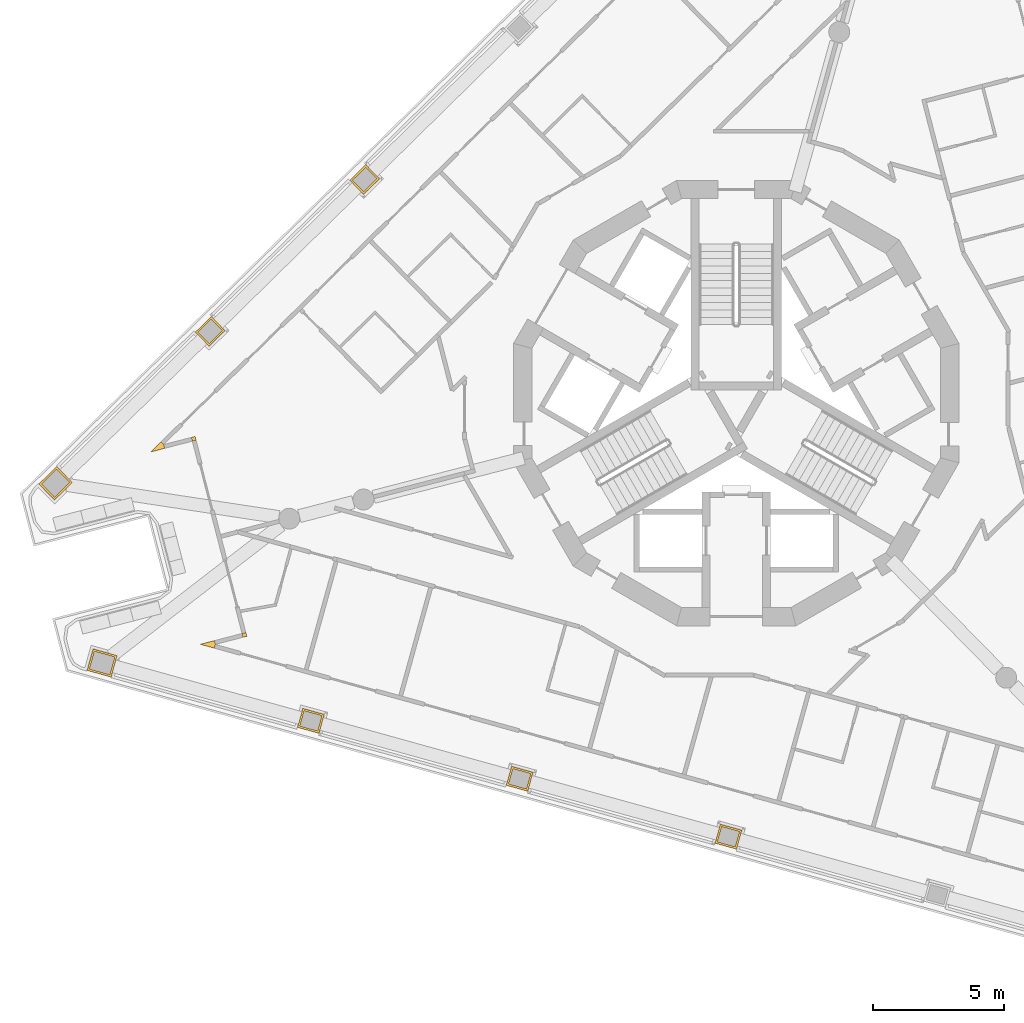
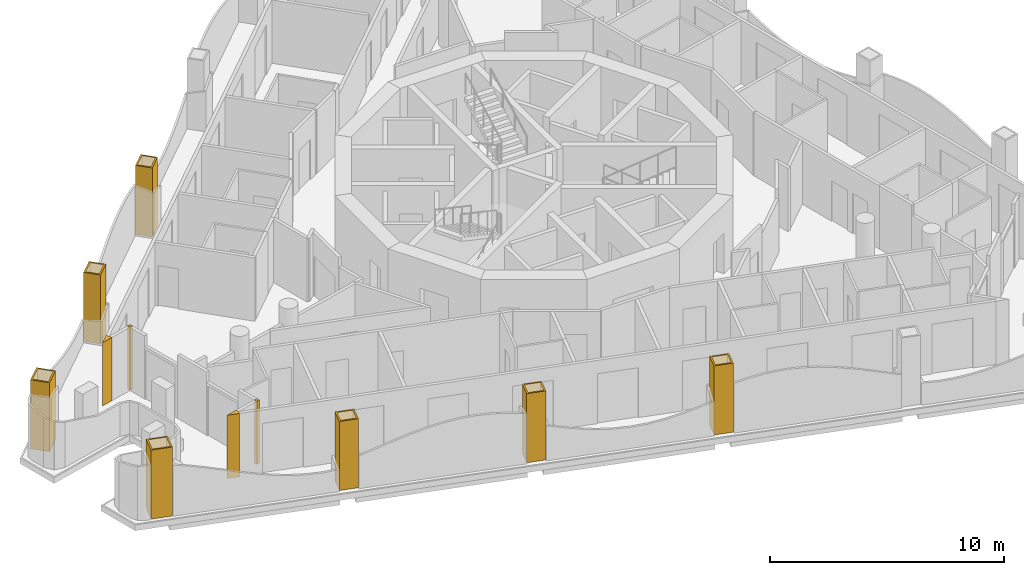
# One storey, part 9 of 14: 11 coverings.
"""IFC4 building model written with IfcOpenShell, lengths in metres."""

from ifc_helpers import new_model, si_unit, direction, frame, origin, place, context, subcontext, project, spatial, polyline, outline, extrude, material, layer, layer_set, type_object, element, save


model = new_model("IFC4")

# Units and contexts
model_context = context("Model", 3, precision=1e-05, world=origin(), true_north=direction((0.0, 1.0)))
body_context = subcontext(model_context, "Body", "Model", "MODEL_VIEW")
ifc_project = project(units=[si_unit("LENGTHUNIT", "METRE"), si_unit("AREAUNIT", "SQUARE_METRE"), si_unit("VOLUMEUNIT", "CUBIC_METRE"), si_unit("PLANEANGLEUNIT", "RADIAN"), si_unit("MASSUNIT", "GRAM", prefix="KILO")], contexts=[model_context])

# Site, building, storey
site_placement = place(None, origin())
site = spatial("IfcSite", under=ifc_project, at=site_placement, CompositionType="ELEMENT")
building_placement = place(site_placement, origin())
building = spatial("IfcBuilding", under=site, at=building_placement, Name="Trine Commons Tower", CompositionType="ELEMENT")
storey_placement = place(building_placement, frame((0.0, 0.0, 252.89990234375)))
storey = spatial("IfcBuildingStorey", under=building, at=storey_placement, Name="L66", CompositionType="ELEMENT", Elevation=252.89990234375)

# Coverings
ifc_material_1 = material(Name="Aluminium-framed insulated wall panel", Category="aluminium")
ifc_layer_1 = layer(ifc_material_1, 0.14990234375)
ifc_layer_set_1 = layer_set([ifc_layer_1], Name="Aluminium-framed insulated wall panel")
covering_type_1 = type_object("IfcCoveringType", Name="Glazing corner post, aluminium", PredefinedType="CLADDING", material=ifc_layer_set_1)
covering_1_placement = place(storey_placement, origin())
element("IfcCovering", 1, at=covering_1_placement, inside=storey, type_object=covering_type_1, Name="Glazing corner post 7-01", PredefinedType="CLADDING", context=body_context, shape_type="SweptSolid", body=[
    extrude(outline(polyline([(58.186279296875, 60.773193359375), (58.14892578125, 60.91845703125), (58.043701171875, 61.025390625), (57.644287109375, 60.63330078125), (58.186279296875, 60.773193359375)])), origin(), (0.0, 0.0, 1.0), 3.300048828125),
])
covering_2_placement = place(storey_placement, origin())
element("IfcCovering", 2, at=covering_2_placement, inside=storey, type_object=covering_type_1, Name="Glazing corner post 7-10", PredefinedType="CLADDING", context=body_context, shape_type="SweptSolid", body=[
    extrude(outline(polyline([(60.081787109375, 53.14501953125), (60.121826171875, 53.28955078125), (60.084228515625, 53.434814453125), (59.542236328125, 53.294677734375), (60.081787109375, 53.14501953125)])), origin(), (0.0, 0.0, 1.0), 3.300048828125),
])
covering_3_placement = place(storey_placement, origin())
element("IfcCovering", 3, at=covering_3_placement, inside=storey, type_object=covering_type_1, Name="Glazing corner post 7-11", PredefinedType="CLADDING", context=body_context, shape_type="SweptSolid", body=[
    extrude(outline(polyline([(61.135498046875, 53.70654296875), (61.135498046875, 53.70654296875), (61.173095703125, 53.561279296875), (61.318115234375, 53.598876953125), (61.28076171875, 53.744140625), (61.135498046875, 53.70654296875)])), origin(), (0.0, 0.0, 1.0), 3.300048828125),
])
covering_4_placement = place(storey_placement, origin())
element("IfcCovering", 4, at=covering_4_placement, inside=storey, type_object=covering_type_1, Name="Glazing corner post 7-12", PredefinedType="CLADDING", context=body_context, shape_type="SweptSolid", body=[
    extrude(outline(polyline([(59.199951171875, 61.1904296875), (59.237548828125, 61.045166015625), (59.3828125, 61.082763671875), (59.34521484375, 61.227783203125), (59.199951171875, 61.1904296875)])), origin(), (0.0, 0.0, 1.0), 3.300048828125),
])
ifc_material_2 = material(Name="Limestone, honed", Category="masonry")
ifc_layer_2 = layer(ifc_material_2, 0.074951171875)
ifc_layer_set_2 = layer_set([ifc_layer_2], Name="Limestone, honed")
covering_type_2 = type_object("IfcCoveringType", Name="Limestone column cladding 75", PredefinedType="CLADDING", material=ifc_layer_set_2)
covering_5_placement = place(storey_placement, origin())
element("IfcCovering", 5, at=covering_5_placement, inside=storey, type_object=covering_type_2, Name="Limestone pier cladding 7-03", PredefinedType="CLADDING", context=body_context, shape_type="SweptSolid", body=[
    extrude(outline(polyline([(79.3916015625, 46.42529296875), (79.19091796875, 45.70263671875), (80.010009765625, 45.4755859375), (80.210693359375, 46.1982421875), (79.3916015625, 46.42529296875)]), holes=[polyline([(79.443603515625, 46.3330078125), (79.283447265625, 45.7548828125), (79.9580078125, 45.56787109375), (80.1181640625, 46.14599609375), (79.443603515625, 46.3330078125)])]), origin(), (0.0, 0.0, 1.0), 3.60009765625),
])
covering_6_placement = place(storey_placement, origin())
element("IfcCovering", 6, at=covering_6_placement, inside=storey, type_object=covering_type_2, Name="Limestone pier cladding 7-04", PredefinedType="CLADDING", context=body_context, shape_type="SweptSolid", body=[
    extrude(outline(polyline([(71.423583984375, 48.635009765625), (71.222900390625, 47.912353515625), (72.0419921875, 47.685302734375), (72.24267578125, 48.407958984375), (71.423583984375, 48.635009765625)]), holes=[polyline([(71.4755859375, 48.542724609375), (71.3154296875, 47.964599609375), (71.989990234375, 47.777587890625), (72.150146484375, 48.355712890625), (71.4755859375, 48.542724609375)])]), origin(), (0.0, 0.0, 1.0), 3.60009765625),
])
covering_7_placement = place(storey_placement, origin())
element("IfcCovering", 7, at=covering_7_placement, inside=storey, type_object=covering_type_2, Name="Limestone pier cladding 7-05", PredefinedType="CLADDING", context=body_context, shape_type="SweptSolid", body=[
    extrude(outline(polyline([(63.45556640625, 50.8447265625), (63.2548828125, 50.1220703125), (64.07421875, 49.89501953125), (64.274658203125, 50.61767578125), (63.45556640625, 50.8447265625)]), holes=[polyline([(63.5078125, 50.75244140625), (63.347412109375, 50.17431640625), (64.02197265625, 49.9873046875), (64.18212890625, 50.5654296875), (63.5078125, 50.75244140625)])]), origin(), (0.0, 0.0, 1.0), 3.60009765625),
])
covering_8_placement = place(storey_placement, origin())
element("IfcCovering", 8, at=covering_8_placement, inside=storey, type_object=covering_type_2, Name="Limestone pier cladding 7-06", PredefinedType="CLADDING", context=body_context, shape_type="SweptSolid", body=[
    extrude(outline(polyline([(55.45263671875, 53.115966796875), (55.2255859375, 52.296875), (56.140869140625, 52.04296875), (56.3681640625, 52.862060546875), (55.45263671875, 53.115966796875)]), holes=[polyline([(55.5048828125, 53.023681640625), (55.31787109375, 52.34912109375), (56.088623046875, 52.13525390625), (56.27587890625, 52.809814453125), (55.5048828125, 53.023681640625)])]), origin(), (0.0, 0.0, 1.0), 3.60009765625),
])
covering_9_placement = place(storey_placement, origin())
element("IfcCovering", 9, at=covering_9_placement, inside=storey, type_object=covering_type_2, Name="Limestone pier cladding 7-07", PredefinedType="CLADDING", context=body_context, shape_type="SweptSolid", body=[
    extrude(outline(polyline([(54.65869140625, 59.472412109375), (54.062744140625, 60.078857421875), (53.38525390625, 59.412841796875), (53.98095703125, 58.806640625), (54.65869140625, 59.472412109375)]), holes=[polyline([(54.552490234375, 59.473388671875), (54.06201171875, 59.97265625), (53.4912109375, 59.412109375), (53.98193359375, 58.91259765625), (54.552490234375, 59.473388671875)])]), origin(), (0.0, 0.0, 1.0), 3.60009765625),
])
covering_10_placement = place(storey_placement, origin())
element("IfcCovering", 10, at=covering_10_placement, inside=storey, type_object=covering_type_2, Name="Limestone pier cladding 7-08", PredefinedType="CLADDING", context=body_context, shape_type="SweptSolid", body=[
    extrude(outline(polyline([(60.485595703125, 65.268798828125), (59.959716796875, 65.8037109375), (59.353515625, 65.2080078125), (59.879150390625, 64.6728515625), (60.485595703125, 65.268798828125)]), holes=[polyline([(60.37939453125, 65.26953125), (59.958984375, 65.697509765625), (59.459716796875, 65.20703125), (59.880126953125, 64.779052734375), (60.37939453125, 65.26953125)])]), origin(), (0.0, 0.0, 1.0), 3.60009765625),
])
covering_11_placement = place(storey_placement, origin())
element("IfcCovering", 11, at=covering_11_placement, inside=storey, type_object=covering_type_2, Name="Limestone pier cladding 7-09", PredefinedType="CLADDING", context=body_context, shape_type="SweptSolid", body=[
    extrude(outline(polyline([(66.38330078125, 71.064208984375), (65.857421875, 71.599365234375), (65.251220703125, 71.00341796875), (65.77685546875, 70.468505859375), (66.38330078125, 71.064208984375)]), holes=[polyline([(66.277099609375, 71.065185546875), (65.856689453125, 71.4931640625), (65.357421875, 71.002685546875), (65.77783203125, 70.57470703125), (66.277099609375, 71.065185546875)])]), origin(), (0.0, 0.0, 1.0), 3.60009765625),
])

save(model, "model.ifc")
